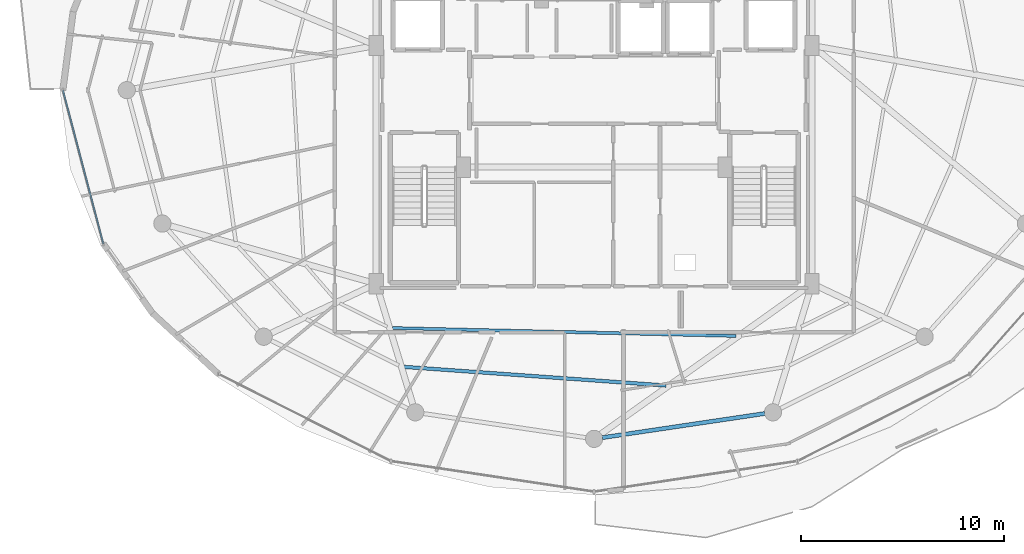
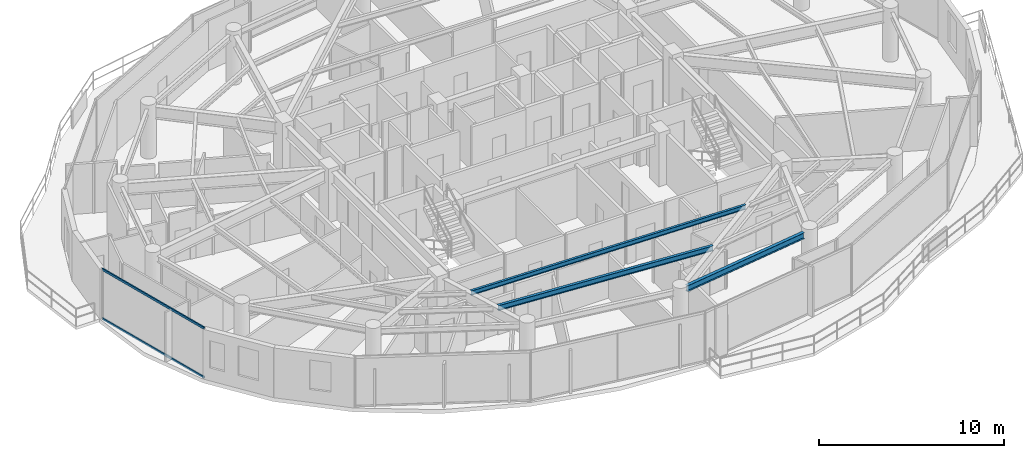
# One storey, part 5 of 30: 3 beams, 2 members, 1 element without a shape of its own.
"""IFC4 building model written with IfcOpenShell, lengths in metres."""

import ifcopenshell
import ifcopenshell.guid

model = None  # the IFC model being written
_history = None  # IfcOwnerHistory: only IFC2X3 demands one
_inside = {}  # id of a spatial element -> (the spatial element, [elements in it])
_under = {}  # id of a project, library or spatial element -> (it, [spatial elements below it])
_declared = {}  # id of a project -> (the project, [libraries it declares])
_typed = {}  # id of a type object -> (the type object, [elements of that type])
_made_of = {}  # id of a material, layer set ... -> (it, [elements and type objects made of it])


def new_model(schema):
    """Start an empty IFC model of exactly this schema.

    Asked for "IFC4X3", IfcOpenShell would pick the latest addendum, in which some entities
    have other attributes; the version numbers below select the first issue.
    IFC2X3 requires an IfcOwnerHistory on every rooted entity: one is made here for all.
    """
    global model, _history
    if schema == "IFC4X3":
        model = ifcopenshell.file(schema_version=(4, 3, 0, 0))
    else:
        model = ifcopenshell.file(schema=schema)
    _inside.clear()
    _under.clear()
    _declared.clear()
    _typed.clear()
    _made_of.clear()
    _history = None
    if model.schema == "IFC2X3":
        org = make("IfcOrganization", Name="unknown")
        user = make(
            "IfcPersonAndOrganization",
            ThePerson=make("IfcPerson", FamilyName="unknown"),
            TheOrganization=org,
        )
        app = make(
            "IfcApplication",
            ApplicationDeveloper=org,
            Version="unknown",
            ApplicationFullName="unknown",
            ApplicationIdentifier="unknown",
        )
        _history = make(
            "IfcOwnerHistory",
            OwningUser=user,
            OwningApplication=app,
            ChangeAction="ADDED",
            CreationDate=0,
        )
    return model


def make(cls, **values):
    """One entity of the class cls with the attributes given. An attribute that is None is left unset."""
    return model.create_entity(
        cls, **{name: value for name, value in values.items() if value is not None}
    )


def rooted(cls, **values):
    """An entity with a GlobalId (a new one), such as an element, a storey or a relation."""
    return make(cls, GlobalId=ifcopenshell.guid.new(), OwnerHistory=_history, **values)


def si_unit(unit_type, name, prefix=None):
    """IfcSIUnit, for example si_unit("LENGTHUNIT", "METRE", prefix="MILLI")."""
    return make("IfcSIUnit", UnitType=unit_type, Prefix=prefix, Name=name)


def assignment(units):
    """IfcUnitAssignment: the units of a project."""
    return None if units is None else make("IfcUnitAssignment", Units=units)


def point(xyz):
    """IfcCartesianPoint."""
    return None if xyz is None else make("IfcCartesianPoint", Coordinates=xyz)


def direction(xyz):
    """IfcDirection."""
    return None if xyz is None else make("IfcDirection", DirectionRatios=xyz)


def frame(location, z_axis=None, x_axis=None):
    """IfcAxis2Placement3D, a coordinate frame: its origin and axes. An axis left out is left unset."""
    return make(
        "IfcAxis2Placement3D",
        Location=point(location),
        Axis=direction(z_axis),
        RefDirection=direction(x_axis),
    )


def frame_2d(location, x_axis=None):
    """IfcAxis2Placement2D, a coordinate frame in the plane: its origin and x axis."""
    return make(
        "IfcAxis2Placement2D", Location=point(location), RefDirection=direction(x_axis)
    )


def origin():
    """The frame at (0, 0, 0) with its axes left unset."""
    return frame((0.0, 0.0, 0.0))


def origin_2d():
    """The frame at (0, 0) in the plane with its x axis left unset."""
    return frame_2d((0.0, 0.0))


def place(relative_to, where):
    """IfcLocalPlacement: puts the frame where relative to a parent placement (None: the world)."""
    return make(
        "IfcLocalPlacement", PlacementRelTo=relative_to, RelativePlacement=where
    )


def context(
    kind, dimensions, precision=None, world=None, true_north=None, identifier=None
):
    """IfcGeometricRepresentationContext, for example the 3D "Model" context."""
    return make(
        "IfcGeometricRepresentationContext",
        ContextIdentifier=identifier,
        ContextType=kind,
        CoordinateSpaceDimension=dimensions,
        Precision=precision,
        WorldCoordinateSystem=world,
        TrueNorth=true_north,
    )


def subcontext(parent, identifier, kind, view, scale=None):
    """IfcGeometricRepresentationSubContext, for example "Body" below "Model"."""
    return make(
        "IfcGeometricRepresentationSubContext",
        ContextIdentifier=identifier,
        ContextType=kind,
        ParentContext=parent,
        TargetScale=scale,
        TargetView=view,
    )


def project(units=None, contexts=None):
    """IfcProject with its units and contexts."""
    return rooted(
        "IfcProject",
        Name="project",
        RepresentationContexts=contexts,
        UnitsInContext=assignment(units),
    )


def spatial(cls, under=None, at=None, **own):
    """A site, building, storey or space (cls), placed at a placement, below another one or the project."""
    s = rooted(cls, ObjectPlacement=at, **own)
    if under is not None:
        _under.setdefault(under.id(), (under, []))[1].append(s)
    return s


def profile(cls, at=None, kind="AREA", **sizes):
    """A parametric profile (cls). Its sizes go by their IFC names, for example OverallWidth=200.0."""
    return make(cls, ProfileType=kind, Position=at, **sizes)


def hollow_rectangle(**sizes):
    """IfcRectangleHollowProfileDef."""
    return profile("IfcRectangleHollowProfileDef", **sizes)


def i_section(**sizes):
    """IfcIShapeProfileDef."""
    return profile("IfcIShapeProfileDef", **sizes)


def extrude(swept, where, along, depth):
    """IfcExtrudedAreaSolid: the profile swept, set in the frame where, extruded along a direction by depth."""
    return make(
        "IfcExtrudedAreaSolid",
        SweptArea=swept,
        Position=where,
        ExtrudedDirection=direction(along),
        Depth=depth,
    )


def shape(context_of_items, identifier, shape_type, items):
    """IfcShapeRepresentation: the items that make up one representation, for example the "Body"."""
    return make(
        "IfcShapeRepresentation",
        ContextOfItems=context_of_items,
        RepresentationIdentifier=identifier,
        RepresentationType=shape_type,
        Items=items,
    )


def material(Name=None, Category=None):
    """IfcMaterial."""
    return make("IfcMaterial", Name=Name, Category=Category)


def material_profile(
    of_material, cross_section, Name=None, Category=None, Priority=None
):
    """IfcMaterialProfile: a cross section and its material."""
    return make(
        "IfcMaterialProfile",
        Name=Name,
        Material=of_material,
        Profile=cross_section,
        Priority=Priority,
        Category=Category,
    )


def profile_set(profiles, Name=None, composite=None):
    """IfcMaterialProfileSet."""
    return make(
        "IfcMaterialProfileSet",
        Name=Name,
        MaterialProfiles=profiles,
        CompositeProfile=composite,
    )


def made_of(thing, what):
    """Note that an element or type object is made of a material, layer set ...; save() writes the relation."""
    if what is not None:
        _made_of.setdefault(what.id(), (what, []))[1].append(thing)
    return thing


def type_object(cls, material=None, **own):
    """A type object (cls), such as IfcWallType, which elements share."""
    return made_of(rooted(cls, **own), material)


def element(
    cls,
    number,
    at=None,
    inside=None,
    cuts=None,
    type_object=None,
    material=None,
    context=None,
    identifier="Body",
    shape_type=None,
    held_by="IfcProductDefinitionShape",
    body=None,
    shapes=None,
    **own,
):
    """One element of the class cls, such as IfcWall. Its Tag is "e" and its number.

    at: its placement. inside: the storey or other place that contains it. cuts: it is an
    opening in that element (IfcRelVoidsElement). A single representation is given by context,
    identifier, shape_type and body (its items); several are given by shapes. held_by: the class
    of the entity that holds the representations. save() writes the other relations.
    """
    e = rooted(cls, Tag="e%d" % number, ObjectPlacement=at, **own)
    if body is not None:
        shapes = [shape(context, identifier, shape_type, body)]
    if shapes is not None:
        e.Representation = make(held_by, Representations=shapes)
    if inside is not None:
        _inside.setdefault(inside.id(), (inside, []))[1].append(e)
    if cuts is not None:
        rooted(
            "IfcRelVoidsElement", RelatingBuildingElement=cuts, RelatedOpeningElement=e
        )
    if type_object is not None:
        _typed.setdefault(type_object.id(), (type_object, []))[1].append(e)
    return made_of(e, material)


def aggregate(whole, parts):
    """IfcRelAggregates: a whole, such as a stair, and the parts it consists of."""
    return rooted("IfcRelAggregates", RelatingObject=whole, RelatedObjects=parts)


def save(model, path):
    """Write the relations noted so far, then the file.

    IfcRelAggregates (storeys below a building ...), IfcRelContainedInSpatialStructure (elements
    in a storey), IfcRelDefinesByType, IfcRelAssociatesMaterial and IfcRelDeclares: one each for
    every whole, place, type object, material and project.
    """
    for whole, parts in _under.values():
        aggregate(whole, parts)
    for where, things in _inside.values():
        rooted(
            "IfcRelContainedInSpatialStructure",
            RelatedElements=things,
            RelatingStructure=where,
        )
    for kind, things in _typed.values():
        rooted("IfcRelDefinesByType", RelatedObjects=things, RelatingType=kind)
    for what, things in _made_of.values():
        rooted("IfcRelAssociatesMaterial", RelatedObjects=things, RelatingMaterial=what)
    for by, libraries in _declared.values():
        rooted("IfcRelDeclares", RelatingContext=by, RelatedDefinitions=libraries)
    model.write(path)


model = new_model("IFC4")

# Units and contexts
model_context = context("Model", 3, precision=1e-05, world=origin(), true_north=direction((0.0, 1.0)))
body_context = subcontext(model_context, "Body", "Model", "MODEL_VIEW")
ifc_project = project(units=[si_unit("LENGTHUNIT", "METRE"), si_unit("AREAUNIT", "SQUARE_METRE"), si_unit("VOLUMEUNIT", "CUBIC_METRE"), si_unit("PLANEANGLEUNIT", "RADIAN"), si_unit("MASSUNIT", "GRAM", prefix="KILO")], contexts=[model_context])

# Site, building, storey
site_placement = place(None, origin())
site = spatial("IfcSite", under=ifc_project, at=site_placement, CompositionType="ELEMENT")
building_placement = place(site_placement, origin())
building = spatial("IfcBuilding", under=site, at=building_placement, Name="Vorneva Point Tower", CompositionType="ELEMENT")
storey_placement = place(building_placement, frame((0.0, 0.0, 234.25)))
storey = spatial("IfcBuildingStorey", under=building, at=storey_placement, Name="L63", CompositionType="ELEMENT", Elevation=234.25)

# Beams
ifc_material_1 = material(Name="Steel S355", Category="steel")
ifc_material_profile_1 = material_profile(ifc_material_1, i_section(OverallWidth=0.14892578125, OverallDepth=0.298095703125, WebThickness=0.005615234375, FlangeThickness=0.008056640625, at=origin_2d()), Name="30B1")
ifc_profile_set_1 = profile_set([ifc_material_profile_1], Name="Steel S355")
beam_type_1 = type_object("IfcBeamType", Name="BM-JST-30B1", PredefinedType="JOIST", material=ifc_profile_set_1)
beam_1_placement = place(storey_placement, frame((28.05126953125, 14.266845703125, 3.14111328125), z_axis=(0.999733534919, -0.023083742277, 0.0), x_axis=(0.023083742277, 0.999733534919, 0.0)))
element("IfcBeam", 1, at=beam_1_placement, inside=storey, type_object=beam_type_1, Name="L63 Secondary Floor Beam 2.12", PredefinedType="JOIST", context=body_context, shape_type="SweptSolid", body=[
    extrude(i_section(OverallWidth=0.14892578125, OverallDepth=0.298095703125, WebThickness=0.005615234375, FlangeThickness=0.008056640625, at=origin_2d()), origin(), (0.0, 0.0, 1.0), 16.943115234375),
])
ifc_material_profile_2 = material_profile(ifc_material_1, i_section(OverallWidth=0.174072265625, OverallDepth=0.345947265625, WebThickness=0.006103515625, FlangeThickness=0.009033203125, at=origin_2d()), Name="35B1")
ifc_profile_set_2 = profile_set([ifc_material_profile_2], Name="Steel S355")
beam_type_2 = type_object("IfcBeamType", Name="BM-SEC-35B1", PredefinedType="BEAM", material=ifc_profile_set_2)
beam_2_placement = place(storey_placement, frame((28.63232421875, 12.349365234375, 3.116943359375), z_axis=(0.997472849648, -0.071048674973, 0.0), x_axis=(0.071048674973, 0.997472849648, 0.0)))
element("IfcBeam", 2, at=beam_2_placement, inside=storey, type_object=beam_type_2, Name="L63 Secondary Floor Beam 1.12", PredefinedType="BEAM", context=body_context, shape_type="SweptSolid", body=[
    extrude(i_section(OverallWidth=0.174072265625, OverallDepth=0.345947265625, WebThickness=0.006103515625, FlangeThickness=0.009033203125, at=origin_2d()), origin(), (0.0, 0.0, 1.0), 12.9443359375),
])
ifc_material_profile_3 = material_profile(ifc_material_1, i_section(OverallWidth=0.198974609375, OverallDepth=0.39599609375, WebThickness=0.007080078125, FlangeThickness=0.010986328125, at=origin_2d()), Name="40B1")
ifc_profile_set_3 = profile_set([ifc_material_profile_3], Name="Steel S355")
beam_type_3 = type_object("IfcBeamType", Name="BM-SPN-40B1", PredefinedType="SPANDREL", material=ifc_profile_set_3)
beam_3_placement = place(storey_placement, frame((38.405517578125, 8.860107421875, 3.092041015625), z_axis=(0.989161657331, 0.146830567886, 0.0), x_axis=(-0.146830567886, 0.989161657331, 0.0)))
element("IfcBeam", 3, at=beam_3_placement, inside=storey, type_object=beam_type_3, Name="L63 Perimeter Spandrel Ring Beam 13", PredefinedType="SPANDREL", context=body_context, shape_type="SweptSolid", body=[
    extrude(i_section(OverallWidth=0.198974609375, OverallDepth=0.39599609375, WebThickness=0.007080078125, FlangeThickness=0.010986328125, at=origin_2d()), origin(), (0.0, 0.0, 1.0), 8.097412109375),
])

# Curtain wall, members
ifc_material_2 = material(Name="Pale anodised aluminium", Category="aluminium")
curtain_wall_type = type_object("IfcCurtainWallType", Name="CW-RES-SYS", PredefinedType="NOTDEFINED", material=ifc_material_2)
curtain_wall_placement = place(storey_placement, origin())
curtain_wall = element("IfcCurtainWall", 4, at=curtain_wall_placement, inside=storey, type_object=curtain_wall_type, Name="L63 Unitised Curtain Wall CW-L63-R03", PredefinedType="NOTDEFINED")
ifc_material_profile_4 = material_profile(ifc_material_2, hollow_rectangle(XDim=0.074951171875, YDim=0.14990234375, WallThickness=0.00390625, at=origin_2d()), Name="AL-TRN 150x75x4")
ifc_profile_set_4 = profile_set([ifc_material_profile_4], Name="Pale anodised aluminium")
member_type = type_object("IfcMemberType", Name="CW-TRN-150", PredefinedType="USERDEFINED", material=ifc_profile_set_4)
member_1_placement = place(storey_placement, frame((11.800048828125, 26.0, 0.02001953125), z_axis=(0.254418180926, -0.967094302131, 0.0), x_axis=(0.967094302131, 0.254418180926, 0.0)))
member_1 = element("IfcMember", 5, at=member_1_placement, type_object=member_type, Name="CW-L63-R03 Transom 01.1", ObjectType="TRANSOM", PredefinedType="USERDEFINED", context=body_context, shape_type="SweptSolid", body=[
    extrude(hollow_rectangle(XDim=0.074951171875, YDim=0.14990234375, WallThickness=0.00390625, at=origin_2d()), origin(), (0.0, 0.0, 1.0), 7.839111328125),
])
member_2_placement = place(storey_placement, frame((11.800048828125, 26.0, 3.27001953125), z_axis=(0.254418180926, -0.967094302131, 0.0), x_axis=(0.967094302131, 0.254418180926, 0.0)))
member_2 = element("IfcMember", 6, at=member_2_placement, type_object=member_type, Name="CW-L63-R03 Transom 01.2", ObjectType="TRANSOM", PredefinedType="USERDEFINED", context=body_context, shape_type="SweptSolid", body=[
    extrude(hollow_rectangle(XDim=0.074951171875, YDim=0.14990234375, WallThickness=0.00390625, at=origin_2d()), origin(), (0.0, 0.0, 1.0), 7.839111328125),
])
aggregate(curtain_wall, [member_1, member_2])

save(model, "model.ifc")
